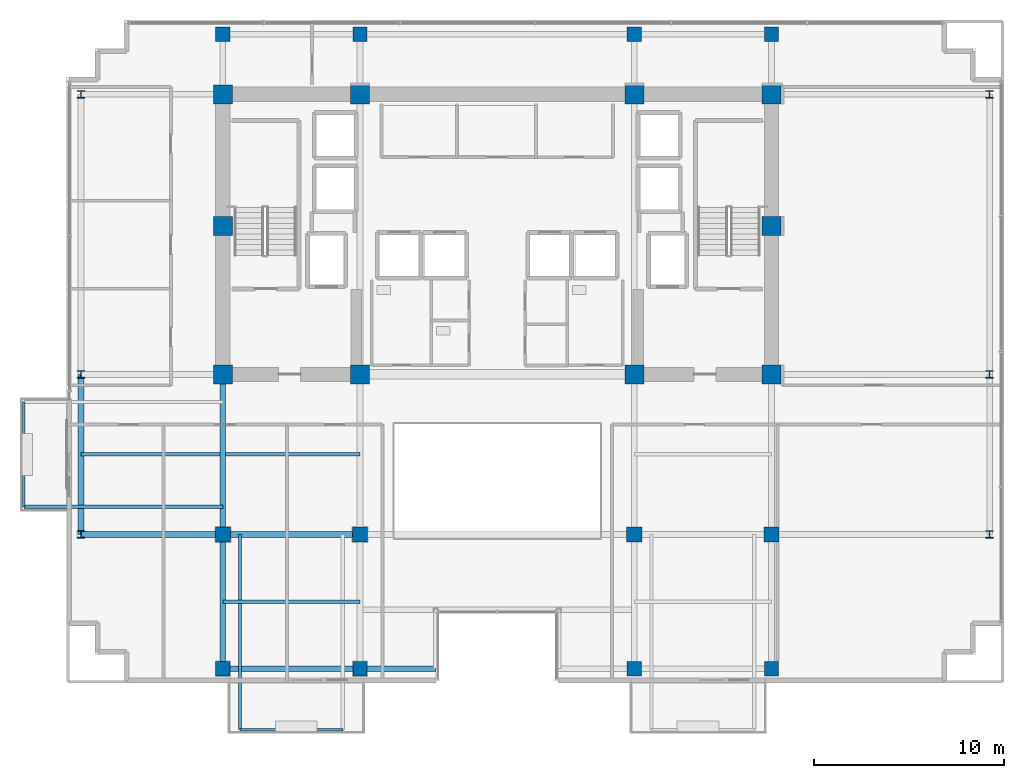
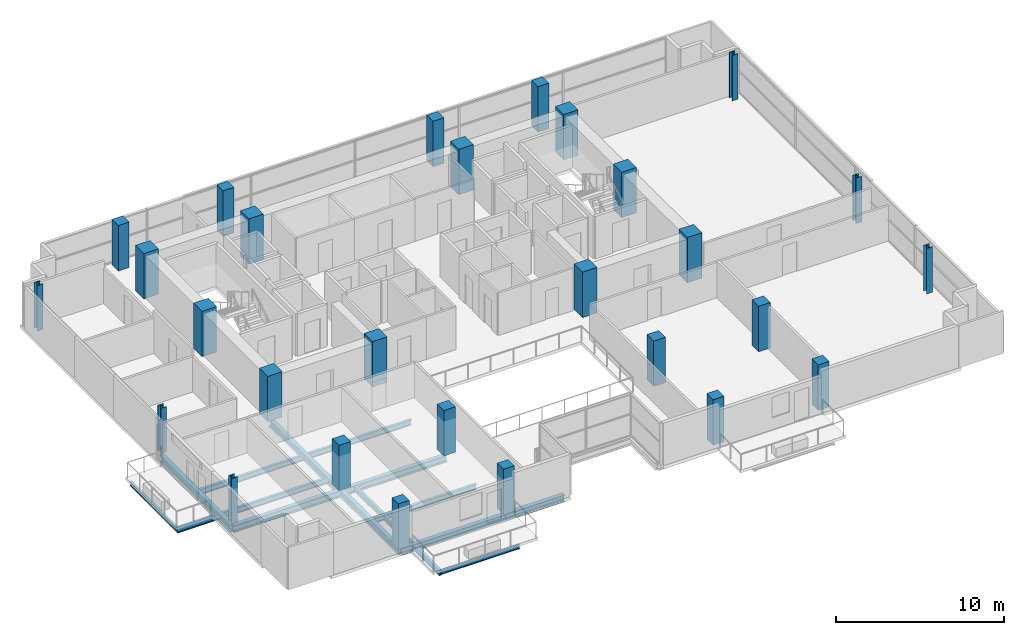
# One storey, part 1 of 22: 28 columns, 14 beams.
"""IFC4 building model written with IfcOpenShell, lengths in metres."""

from ifc_helpers import new_model, si_unit, direction, frame, origin, origin_2d, place, context, subcontext, project, spatial, rectangle, i_section, extrude, material, material_profile, profile_set, type_object, element, save


model = new_model("IFC4")

# Units and contexts
model_context = context("Model", 3, precision=1e-05, world=origin(), true_north=direction((0.0, 1.0)))
body_context = subcontext(model_context, "Body", "Model", "MODEL_VIEW")
ifc_project = project(units=[si_unit("LENGTHUNIT", "METRE"), si_unit("AREAUNIT", "SQUARE_METRE"), si_unit("VOLUMEUNIT", "CUBIC_METRE"), si_unit("PLANEANGLEUNIT", "RADIAN"), si_unit("MASSUNIT", "GRAM", prefix="KILO")], contexts=[model_context])

# Site, building, storey
site_placement = place(None, origin())
site = spatial("IfcSite", under=ifc_project, at=site_placement, CompositionType="ELEMENT")
building_placement = place(site_placement, origin())
building = spatial("IfcBuilding", under=site, at=building_placement, Name="Zarnakvel Exchange Tower", CompositionType="ELEMENT")
storey_placement = place(building_placement, frame((0.0, 0.0, 179.199951171875)))
storey = spatial("IfcBuildingStorey", under=building, at=storey_placement, Name="L50", CompositionType="ELEMENT", Elevation=179.199951171875)

# Columns
ifc_material_1 = material(Name="Concrete C60/75", Category="concrete")
ifc_material_profile_1 = material_profile(ifc_material_1, rectangle(XDim=1.0, YDim=1.0, at=origin_2d()))
ifc_profile_set_1 = profile_set([ifc_material_profile_1], Name="Concrete C60/75")
column_type_1 = type_object("IfcColumnType", Name="CC-02", PredefinedType="COLUMN", material=ifc_profile_set_1)
for number, where, z_axis, x_axis, name in (
    (1, (-14.39990234375, -1.199951171875, 0.0), (0.0, 0.0, 1.0), (1.0, 0.0, 0.0), "L50 Column C-4D (CC-02)"),
    (2, (-7.199951171875, -1.199951171875, 0.0), (0.0, 0.0, 1.0), (1.0, 0.0, 0.0), "L50 Column C-5D (CC-02)"),
    (3, (7.199951171875, -1.199951171875, 0.0), (0.0, 0.0, 1.0), (1.0, 0.0, 0.0), "L50 Column C-8D (CC-02)"),
    (4, (14.39990234375, -1.199951171875, 0.0), (0.0, 0.0, 1.0), (1.0, 0.0, 0.0), "L50 Column C-9D (CC-02)"),
    (5, (-14.39990234375, 6.60009765625, 0.0), (0.0, 0.0, 1.0), (1.0, 0.0, 0.0), "L50 Column C-4E (CC-02)"),
    (6, (14.39990234375, 6.60009765625, 0.0), (0.0, 0.0, 1.0), (1.0, 0.0, 0.0), "L50 Column C-9E (CC-02)"),
    (7, (-14.39990234375, 13.5, 0.0), (0.0, 0.0, 1.0), (1.0, 0.0, 0.0), "L50 Column C-4F (CC-02)"),
    (8, (-7.199951171875, 13.5, 0.0), (0.0, 0.0, 1.0), (1.0, 0.0, 0.0), "L50 Column C-5F (CC-02)"),
    (9, (7.199951171875, 13.5, 0.0), (0.0, 0.0, 1.0), (1.0, 0.0, 0.0), "L50 Column C-8F (CC-02)"),
    (10, (14.39990234375, 13.5, 0.0), (0.0, 0.0, 1.0), (1.0, 0.0, 0.0), "L50 Column C-9F (CC-02)"),
):
    element("IfcColumn", number, at=place(storey_placement, frame(where, z_axis=z_axis, x_axis=x_axis)), inside=storey, type_object=column_type_1, Name=name, PredefinedType="COLUMN", context=body_context, shape_type="SweptSolid", body=[
        extrude(rectangle(XDim=1.0, YDim=1.0, at=origin_2d()), origin(), (0.0, 0.0, 1.0), 3.300048828125),
    ])
ifc_material_2 = material(Name="Steel S355", Category="steel")
ifc_material_profile_2 = material_profile(ifc_material_2, i_section(OverallWidth=0.39892578125, OverallDepth=0.3935546875, WebThickness=0.022705078125, FlangeThickness=0.03662109375, FilletRadius=0.01513671875, at=origin_2d()))
ifc_profile_set_2 = profile_set([ifc_material_profile_2], Name="Steel S355")
column_type_2 = type_object("IfcColumnType", Name="SC-04", PredefinedType="COLUMN", material=ifc_profile_set_2)
for number, where, z_axis, x_axis, name in (
    (11, (-21.85009765625, -9.60009765625, 0.0), (0.0, 0.0, 1.0), (1.0, 0.0, 0.0), "L50 Column TW-C (SC-04)"),
    (12, (25.85009765625, -9.60009765625, 0.0), (0.0, 0.0, 1.0), (1.0, 0.0, 0.0), "L50 Column TE-C (SC-04)"),
    (13, (-21.85009765625, -1.199951171875, 0.0), (0.0, 0.0, 1.0), (1.0, 0.0, 0.0), "L50 Column TW-D (SC-04)"),
    (14, (25.85009765625, -1.199951171875, 0.0), (0.0, 0.0, 1.0), (1.0, 0.0, 0.0), "L50 Column TE-D (SC-04)"),
    (15, (-21.85009765625, 13.5, 0.0), (0.0, 0.0, 1.0), (1.0, 0.0, 0.0), "L50 Column TW-F (SC-04)"),
    (16, (25.85009765625, 13.5, 0.0), (0.0, 0.0, 1.0), (1.0, 0.0, 0.0), "L50 Column TE-F (SC-04)"),
):
    element("IfcColumn", number, at=place(storey_placement, frame(where, z_axis=z_axis, x_axis=x_axis)), inside=storey, type_object=column_type_2, Name=name, PredefinedType="COLUMN", context=body_context, shape_type="SweptSolid", body=[
        extrude(i_section(OverallWidth=0.39892578125, OverallDepth=0.3935546875, WebThickness=0.022705078125, FlangeThickness=0.03662109375, FilletRadius=0.01513671875, at=origin_2d()), origin(), (0.0, 0.0, 1.0), 3.300048828125),
    ])
ifc_material_profile_3 = material_profile(ifc_material_1, rectangle(XDim=0.800048828125, YDim=0.800048828125, at=origin_2d()))
ifc_profile_set_3 = profile_set([ifc_material_profile_3], Name="Concrete C60/75")
column_type_3 = type_object("IfcColumnType", Name="TC-03", PredefinedType="COLUMN", material=ifc_profile_set_3)
for number, where, z_axis, x_axis, name in (
    (17, (-14.39990234375, -9.60009765625, 0.0), (0.0, 0.0, 1.0), (1.0, 0.0, 0.0), "L50 Column T-4C (TC-03)"),
    (18, (-7.199951171875, -9.60009765625, 0.0), (0.0, 0.0, 1.0), (1.0, 0.0, 0.0), "L50 Column T-5C (TC-03)"),
    (19, (7.199951171875, -9.60009765625, 0.0), (0.0, 0.0, 1.0), (1.0, 0.0, 0.0), "L50 Column T-8C (TC-03)"),
    (20, (14.39990234375, -9.60009765625, 0.0), (0.0, 0.0, 1.0), (1.0, 0.0, 0.0), "L50 Column T-9C (TC-03)"),
):
    element("IfcColumn", number, at=place(storey_placement, frame(where, z_axis=z_axis, x_axis=x_axis)), inside=storey, type_object=column_type_3, Name=name, PredefinedType="COLUMN", context=body_context, shape_type="SweptSolid", body=[
        extrude(rectangle(XDim=0.800048828125, YDim=0.800048828125, at=origin_2d()), origin(), (0.0, 0.0, 1.0), 3.300048828125),
    ])
ifc_material_3 = material(Name="Concrete C50/60", Category="concrete")
ifc_material_profile_4 = material_profile(ifc_material_3, rectangle(XDim=0.75, YDim=0.75, at=origin_2d()))
ifc_profile_set_4 = profile_set([ifc_material_profile_4], Name="Concrete C50/60")
column_type_4 = type_object("IfcColumnType", Name="TC-04", PredefinedType="COLUMN", material=ifc_profile_set_4)
for number, where, z_axis, x_axis, name in (
    (21, (-14.39990234375, -16.64990234375, 0.0), (0.0, 0.0, 1.0), (1.0, 0.0, 0.0), "L50 Column TS-4 (TC-04)"),
    (22, (-14.39990234375, 16.64990234375, 0.0), (0.0, 0.0, 1.0), (1.0, 0.0, 0.0), "L50 Column TN-4 (TC-04)"),
    (23, (-7.199951171875, -16.64990234375, 0.0), (0.0, 0.0, 1.0), (1.0, 0.0, 0.0), "L50 Column TS-5 (TC-04)"),
    (24, (-7.199951171875, 16.64990234375, 0.0), (0.0, 0.0, 1.0), (1.0, 0.0, 0.0), "L50 Column TN-5 (TC-04)"),
    (25, (7.199951171875, -16.64990234375, 0.0), (0.0, 0.0, 1.0), (1.0, 0.0, 0.0), "L50 Column TS-8 (TC-04)"),
    (26, (7.199951171875, 16.64990234375, 0.0), (0.0, 0.0, 1.0), (1.0, 0.0, 0.0), "L50 Column TN-8 (TC-04)"),
    (27, (14.39990234375, -16.64990234375, 0.0), (0.0, 0.0, 1.0), (1.0, 0.0, 0.0), "L50 Column TS-9 (TC-04)"),
    (28, (14.39990234375, 16.64990234375, 0.0), (0.0, 0.0, 1.0), (1.0, 0.0, 0.0), "L50 Column TN-9 (TC-04)"),
):
    element("IfcColumn", number, at=place(storey_placement, frame(where, z_axis=z_axis, x_axis=x_axis)), inside=storey, type_object=column_type_4, Name=name, PredefinedType="COLUMN", context=body_context, shape_type="SweptSolid", body=[
        extrude(rectangle(XDim=0.75, YDim=0.75, at=origin_2d()), origin(), (0.0, 0.0, 1.0), 3.300048828125),
    ])

# Beams
ifc_material_profile_5 = material_profile(ifc_material_2, i_section(OverallWidth=0.179931640625, OverallDepth=0.39990234375, WebThickness=0.008544921875, FlangeThickness=0.013427734375, FilletRadius=0.02099609375, at=origin_2d()))
ifc_profile_set_5 = profile_set([ifc_material_profile_5], Name="Steel S355")
beam_type_1 = type_object("IfcBeamType", Name="B-06", PredefinedType="JOIST", material=ifc_profile_set_5)
beam_1_placement = place(storey_placement, frame((-14.39990234375, -13.125, -0.425048828125), z_axis=(1.0, 0.0, 0.0), x_axis=(0.0, 1.0, 0.0)))
element("IfcBeam", 29, at=beam_1_placement, inside=storey, type_object=beam_type_1, Name="L50 Composite Floor Secondary Joist", PredefinedType="JOIST", context=body_context, shape_type="SweptSolid", body=[
    extrude(i_section(OverallWidth=0.179931640625, OverallDepth=0.39990234375, WebThickness=0.008544921875, FlangeThickness=0.013427734375, FilletRadius=0.02099609375, at=origin_2d()), origin(), (0.0, 0.0, 1.0), 7.199951171875),
])
beam_2_placement = place(storey_placement, frame((-21.85009765625, -5.39990234375, -0.425048828125), z_axis=(1.0, 0.0, 0.0), x_axis=(0.0, 1.0, 0.0)))
element("IfcBeam", 30, at=beam_2_placement, inside=storey, type_object=beam_type_1, Name="L50 Composite Floor Secondary Joist", PredefinedType="JOIST", context=body_context, shape_type="SweptSolid", body=[
    extrude(i_section(OverallWidth=0.179931640625, OverallDepth=0.39990234375, WebThickness=0.008544921875, FlangeThickness=0.013427734375, FilletRadius=0.02099609375, at=origin_2d()), origin(), (0.0, 0.0, 1.0), 7.300048828125),
])
beam_3_placement = place(storey_placement, frame((-14.25, -5.39990234375, -0.425048828125), z_axis=(1.0, 0.0, 0.0), x_axis=(0.0, 1.0, 0.0)))
element("IfcBeam", 31, at=beam_3_placement, inside=storey, type_object=beam_type_1, Name="L50 Composite Floor Secondary Joist", PredefinedType="JOIST", context=body_context, shape_type="SweptSolid", body=[
    extrude(i_section(OverallWidth=0.179931640625, OverallDepth=0.39990234375, WebThickness=0.008544921875, FlangeThickness=0.013427734375, FilletRadius=0.02099609375, at=origin_2d()), origin(), (0.0, 0.0, 1.0), 7.050048828125),
])
beam_4_placement = place(storey_placement, frame((-13.5, -9.60009765625, -0.425048828125), z_axis=(0.0, -1.0, 0.0), x_axis=(1.0, 0.0, 0.0)))
element("IfcBeam", 32, at=beam_4_placement, inside=storey, type_object=beam_type_1, Name="L50 Continuous Back-Spanned Balcony Beam W", PredefinedType="JOIST", context=body_context, shape_type="SweptSolid", body=[
    extrude(i_section(OverallWidth=0.179931640625, OverallDepth=0.39990234375, WebThickness=0.008544921875, FlangeThickness=0.013427734375, FilletRadius=0.02099609375, at=origin_2d()), origin(), (0.0, 0.0, 1.0), 10.25),
])
beam_5_placement = place(storey_placement, frame((-14.39990234375, -8.14990234375, -0.425048828125), z_axis=(-1.0, 0.0, 0.0), x_axis=(0.0, -1.0, 0.0)))
element("IfcBeam", 33, at=beam_5_placement, inside=storey, type_object=beam_type_1, Name="L50 Continuous West Loggia Beam S", PredefinedType="JOIST", context=body_context, shape_type="SweptSolid", body=[
    extrude(i_section(OverallWidth=0.179931640625, OverallDepth=0.39990234375, WebThickness=0.008544921875, FlangeThickness=0.013427734375, FilletRadius=0.02099609375, at=origin_2d()), origin(), (0.0, 0.0, 1.0), 10.4501953125),
])
ifc_material_profile_6 = material_profile(ifc_material_2, i_section(OverallWidth=0.14990234375, OverallDepth=0.300048828125, WebThickness=0.007080078125, FlangeThickness=0.0107421875, FilletRadius=0.014892578125, at=origin_2d()))
ifc_profile_set_6 = profile_set([ifc_material_profile_6], Name="Steel S355")
beam_type_2 = type_object("IfcBeamType", Name="B-08", PredefinedType="JOIST", material=ifc_profile_set_6)
beam_6_placement = place(storey_placement, frame((-13.5, -19.85009765625, -0.375), z_axis=(1.0, 0.0, 0.0), x_axis=(0.0, 1.0, 0.0)))
element("IfcBeam", 34, at=beam_6_placement, inside=storey, type_object=beam_type_2, Name="L50 Balcony Edge Beam", PredefinedType="JOIST", context=body_context, shape_type="SweptSolid", body=[
    extrude(i_section(OverallWidth=0.14990234375, OverallDepth=0.300048828125, WebThickness=0.007080078125, FlangeThickness=0.0107421875, FilletRadius=0.014892578125, at=origin_2d()), origin(), (0.0, 0.0, 1.0), 5.39990234375),
])
beam_7_placement = place(storey_placement, frame((-24.85009765625, -8.14990234375, -0.375), z_axis=(0.0, 1.0, 0.0), x_axis=(-1.0, 0.0, 0.0)))
element("IfcBeam", 35, at=beam_7_placement, inside=storey, type_object=beam_type_2, Name="L50 West Loggia Edge Beam", PredefinedType="JOIST", context=body_context, shape_type="SweptSolid", body=[
    extrude(i_section(OverallWidth=0.14990234375, OverallDepth=0.300048828125, WebThickness=0.007080078125, FlangeThickness=0.0107421875, FilletRadius=0.014892578125, at=origin_2d()), origin(), (0.0, 0.0, 1.0), 5.5),
])
ifc_material_profile_7 = material_profile(ifc_material_2, i_section(OverallWidth=0.300048828125, OverallDepth=0.5, WebThickness=0.014404296875, FlangeThickness=0.028076171875, FilletRadius=0.027099609375, at=origin_2d()))
ifc_profile_set_7 = profile_set([ifc_material_profile_7], Name="Steel S355")
beam_type_3 = type_object("IfcBeamType", Name="G-06", PredefinedType="BEAM", material=ifc_profile_set_7)
beam_8_placement = place(storey_placement, frame((-21.85009765625, -9.60009765625, -0.474853515625), z_axis=(1.0, 0.0, 0.0), x_axis=(0.0, 1.0, 0.0)))
element("IfcBeam", 36, at=beam_8_placement, inside=storey, type_object=beam_type_3, Name="L50 Tower E-W Frame Beam", PredefinedType="BEAM", context=body_context, shape_type="SweptSolid", body=[
    extrude(i_section(OverallWidth=0.300048828125, OverallDepth=0.5, WebThickness=0.014404296875, FlangeThickness=0.028076171875, FilletRadius=0.027099609375, at=origin_2d()), origin(), (0.0, 0.0, 1.0), 7.4501953125),
])
beam_9_placement = place(storey_placement, frame((-14.39990234375, -9.60009765625, -0.474853515625), z_axis=(1.0, 0.0, 0.0), x_axis=(0.0, 1.0, 0.0)))
element("IfcBeam", 37, at=beam_9_placement, inside=storey, type_object=beam_type_3, Name="L50 Tower E-W Frame Beam", PredefinedType="BEAM", context=body_context, shape_type="SweptSolid", body=[
    extrude(i_section(OverallWidth=0.300048828125, OverallDepth=0.5, WebThickness=0.014404296875, FlangeThickness=0.028076171875, FilletRadius=0.027099609375, at=origin_2d()), origin(), (0.0, 0.0, 1.0), 7.199951171875),
])
beam_10_placement = place(storey_placement, frame((-14.39990234375, -16.64990234375, -0.474853515625), z_axis=(0.0, 1.0, 0.0), x_axis=(-1.0, 0.0, 0.0)))
element("IfcBeam", 38, at=beam_10_placement, inside=storey, type_object=beam_type_3, Name="L50 Tower N-S Frame Beam", PredefinedType="BEAM", context=body_context, shape_type="SweptSolid", body=[
    extrude(i_section(OverallWidth=0.300048828125, OverallDepth=0.5, WebThickness=0.014404296875, FlangeThickness=0.028076171875, FilletRadius=0.027099609375, at=origin_2d()), origin(), (0.0, 0.0, 1.0), 7.0498046875),
])
beam_11_placement = place(storey_placement, frame((-14.39990234375, -9.60009765625, -0.474853515625), z_axis=(0.0, 1.0, 0.0), x_axis=(-1.0, 0.0, 0.0)))
element("IfcBeam", 39, at=beam_11_placement, inside=storey, type_object=beam_type_3, Name="L50 Tower N-S Frame Beam", PredefinedType="BEAM", context=body_context, shape_type="SweptSolid", body=[
    extrude(i_section(OverallWidth=0.300048828125, OverallDepth=0.5, WebThickness=0.014404296875, FlangeThickness=0.028076171875, FilletRadius=0.027099609375, at=origin_2d()), origin(), (0.0, 0.0, 1.0), 8.400146484375),
])
ifc_material_profile_8 = material_profile(ifc_material_2, i_section(OverallWidth=0.300048828125, OverallDepth=0.5, WebThickness=0.014404296875, FlangeThickness=0.028076171875, FilletRadius=0.027099609375, at=origin_2d()))
ifc_profile_set_8 = profile_set([ifc_material_profile_8], Name="Steel S355")
beam_type_4 = type_object("IfcBeamType", Name="SP-02", PredefinedType="SPANDREL", material=ifc_profile_set_8)
beam_12_placement = place(storey_placement, frame((-14.39990234375, -16.64990234375, -0.474853515625), z_axis=(1.0, 0.0, 0.0), x_axis=(0.0, 1.0, 0.0)))
element("IfcBeam", 40, at=beam_12_placement, inside=storey, type_object=beam_type_4, Name="L50 Tower E-W Frame Beam", PredefinedType="SPANDREL", context=body_context, shape_type="SweptSolid", body=[
    extrude(i_section(OverallWidth=0.300048828125, OverallDepth=0.5, WebThickness=0.014404296875, FlangeThickness=0.028076171875, FilletRadius=0.027099609375, at=origin_2d()), origin(), (0.0, 0.0, 1.0), 7.199951171875),
])
beam_13_placement = place(storey_placement, frame((-7.199951171875, -16.64990234375, -0.474853515625), z_axis=(1.0, 0.0, 0.0), x_axis=(0.0, 1.0, 0.0)))
element("IfcBeam", 41, at=beam_13_placement, inside=storey, type_object=beam_type_4, Name="L50 South Slot West Jamb Spandrel", PredefinedType="SPANDREL", context=body_context, shape_type="SweptSolid", body=[
    extrude(i_section(OverallWidth=0.300048828125, OverallDepth=0.5, WebThickness=0.014404296875, FlangeThickness=0.028076171875, FilletRadius=0.027099609375, at=origin_2d()), origin(), (0.0, 0.0, 1.0), 4.0),
])
beam_14_placement = place(storey_placement, frame((-21.85009765625, -9.60009765625, -0.474853515625), z_axis=(0.0, 1.0, 0.0), x_axis=(-1.0, 0.0, 0.0)))
element("IfcBeam", 42, at=beam_14_placement, inside=storey, type_object=beam_type_4, Name="L50 Tower N-S Frame Beam", PredefinedType="SPANDREL", context=body_context, shape_type="SweptSolid", body=[
    extrude(i_section(OverallWidth=0.300048828125, OverallDepth=0.5, WebThickness=0.014404296875, FlangeThickness=0.028076171875, FilletRadius=0.027099609375, at=origin_2d()), origin(), (0.0, 0.0, 1.0), 8.400146484375),
])

save(model, "model.ifc")
